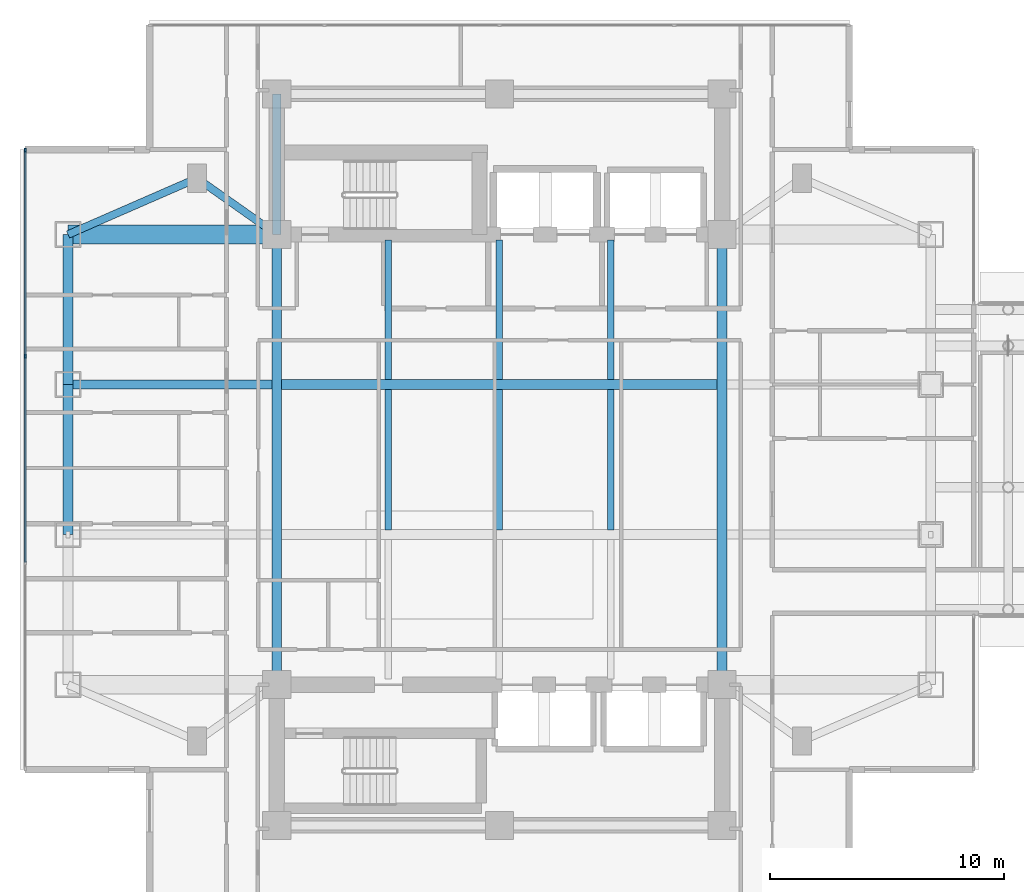
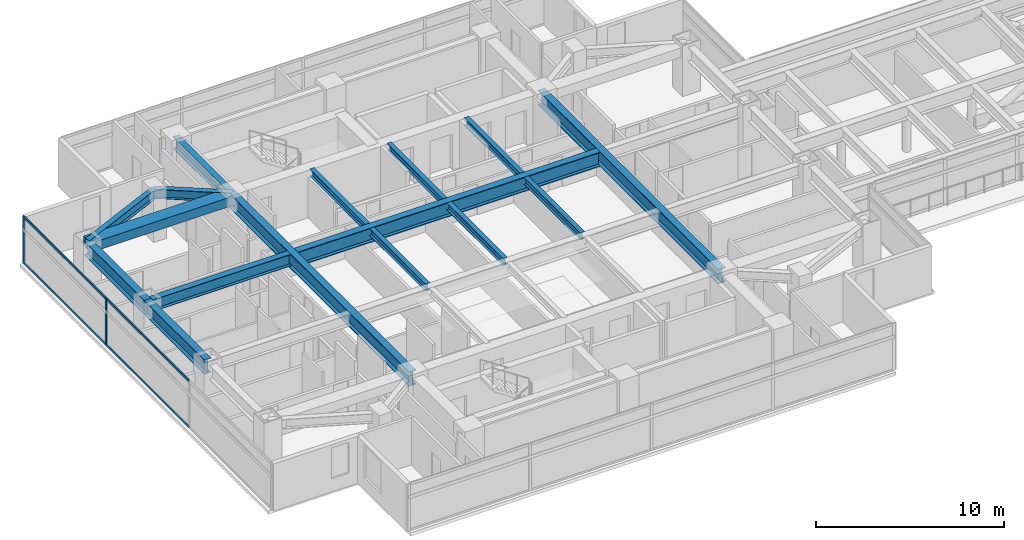
# One storey, part 3 of 29: 16 beams, 6 members, 1 element without a shape of its own.
"""IFC4 building model written with IfcOpenShell, lengths in metres."""

from ifc_helpers import new_model, si_unit, direction, frame, origin, origin_2d, place, context, subcontext, project, spatial, rectangle, i_section, extrude, material, material_profile, profile_set, type_object, element, aggregate, save


model = new_model("IFC4")

# Units and contexts
model_context = context("Model", 3, precision=1e-05, world=origin(), true_north=direction((0.0, 1.0)))
body_context = subcontext(model_context, "Body", "Model", "MODEL_VIEW")
ifc_project = project(units=[si_unit("LENGTHUNIT", "METRE"), si_unit("AREAUNIT", "SQUARE_METRE"), si_unit("VOLUMEUNIT", "CUBIC_METRE"), si_unit("PLANEANGLEUNIT", "RADIAN"), si_unit("MASSUNIT", "GRAM", prefix="KILO")], contexts=[model_context])

# Site, building, storey
site_placement = place(None, origin())
site = spatial("IfcSite", under=ifc_project, at=site_placement, CompositionType="ELEMENT")
building_placement = place(site_placement, origin())
building = spatial("IfcBuilding", under=site, at=building_placement, Name="Mirazonda Arch Towers", CompositionType="ELEMENT")
storey_placement = place(building_placement, frame((0.0, 0.0, 88.39990234375)))
storey = spatial("IfcBuildingStorey", under=building, at=storey_placement, Name="L24", CompositionType="ELEMENT", Elevation=88.39990234375)

# Beams
ifc_material_1 = material(Name="Steel ASTM A992 Grade 50", Category="steel")
ifc_material_profile_1 = material_profile(ifc_material_1, i_section(OverallWidth=0.41796875, OverallDepth=0.927001953125, WebThickness=0.019287109375, FlangeThickness=0.031982421875, at=origin_2d()), Name="W36X231")
ifc_profile_set_1 = profile_set([ifc_material_profile_1], Name="Steel ASTM A992 Grade 50")
beam_type_1 = type_object("IfcBeamType", Name="BM-EXT-W36X231", PredefinedType="USERDEFINED", material=ifc_profile_set_1)
beam_1_placement = place(storey_placement, frame((2.10009765625, 24.800048828125, 2.61669921875), z_axis=(0.0, 1.0, 0.0), x_axis=(-1.0, 0.0, 0.0)))
element("IfcBeam", 1, at=beam_1_placement, inside=storey, type_object=beam_type_1, Name="L24 Floor Beam BM-T1-L24-NS-W-24", ObjectType="GIRDER", PredefinedType="USERDEFINED", context=body_context, shape_type="SweptSolid", body=[
    extrude(i_section(OverallWidth=0.41796875, OverallDepth=0.927001953125, WebThickness=0.019287109375, FlangeThickness=0.031982421875, at=origin_2d()), origin(), (0.0, 0.0, 1.0), 6.39990234375),
])
beam_2_placement = place(storey_placement, frame((2.10009765625, 31.199951171875, 2.61669921875), z_axis=(0.0, 1.0, 0.0), x_axis=(-1.0, 0.0, 0.0)))
element("IfcBeam", 2, at=beam_2_placement, inside=storey, type_object=beam_type_1, Name="L24 Floor Beam BM-T1-L24-NS-W-31", ObjectType="GIRDER", PredefinedType="USERDEFINED", context=body_context, shape_type="SweptSolid", body=[
    extrude(i_section(OverallWidth=0.41796875, OverallDepth=0.927001953125, WebThickness=0.019287109375, FlangeThickness=0.031982421875, at=origin_2d()), origin(), (0.0, 0.0, 1.0), 6.400146484375),
])
ifc_material_profile_2 = material_profile(ifc_material_1, i_section(OverallWidth=0.280029296875, OverallDepth=0.462890625, WebThickness=0.0107421875, FlangeThickness=0.017333984375, at=origin_2d()), Name="W18X76")
ifc_profile_set_2 = profile_set([ifc_material_profile_2], Name="Steel ASTM A992 Grade 50")
beam_type_2 = type_object("IfcBeamType", Name="BM-INT-W18X76", PredefinedType="JOIST", material=ifc_profile_set_2)
beam_3_placement = place(storey_placement, frame((15.75, 31.407470703125, 2.8486328125), z_axis=(0.0, 1.0, 0.0), x_axis=(-1.0, 0.0, 0.0)))
element("IfcBeam", 3, at=beam_3_placement, inside=storey, type_object=beam_type_2, Name="L24 Floor Beam BM-T1-L24-J-157-31", PredefinedType="JOIST", context=body_context, shape_type="SweptSolid", body=[
    extrude(i_section(OverallWidth=0.280029296875, OverallDepth=0.462890625, WebThickness=0.0107421875, FlangeThickness=0.017333984375, at=origin_2d()), origin(), (0.0, 0.0, 1.0), 5.95263671875),
])
beam_4_placement = place(storey_placement, frame((15.75, 25.007568359375, 2.8486328125), z_axis=(0.0, 1.0, 0.0), x_axis=(-1.0, 0.0, 0.0)))
element("IfcBeam", 4, at=beam_4_placement, inside=storey, type_object=beam_type_2, Name="L24 Floor Beam BM-T1-L24-J-157-24", PredefinedType="JOIST", context=body_context, shape_type="SweptSolid", body=[
    extrude(i_section(OverallWidth=0.280029296875, OverallDepth=0.462890625, WebThickness=0.0107421875, FlangeThickness=0.017333984375, at=origin_2d()), origin(), (0.0, 0.0, 1.0), 5.98486328125),
])
beam_5_placement = place(storey_placement, frame((20.5, 31.407470703125, 2.8486328125), z_axis=(0.0, 1.0, 0.0), x_axis=(-1.0, 0.0, 0.0)))
element("IfcBeam", 5, at=beam_5_placement, inside=storey, type_object=beam_type_2, Name="L24 Floor Beam BM-T1-L24-J-205-31", PredefinedType="JOIST", context=body_context, shape_type="SweptSolid", body=[
    extrude(i_section(OverallWidth=0.280029296875, OverallDepth=0.462890625, WebThickness=0.0107421875, FlangeThickness=0.017333984375, at=origin_2d()), origin(), (0.0, 0.0, 1.0), 5.95263671875),
])
beam_6_placement = place(storey_placement, frame((20.5, 25.007568359375, 2.8486328125), z_axis=(0.0, 1.0, 0.0), x_axis=(-1.0, 0.0, 0.0)))
element("IfcBeam", 6, at=beam_6_placement, inside=storey, type_object=beam_type_2, Name="L24 Floor Beam BM-T1-L24-J-205-24", PredefinedType="JOIST", context=body_context, shape_type="SweptSolid", body=[
    extrude(i_section(OverallWidth=0.280029296875, OverallDepth=0.462890625, WebThickness=0.0107421875, FlangeThickness=0.017333984375, at=origin_2d()), origin(), (0.0, 0.0, 1.0), 5.98486328125),
])
beam_7_placement = place(storey_placement, frame((25.25, 31.407470703125, 2.8486328125), z_axis=(0.0, 1.0, 0.0), x_axis=(-1.0, 0.0, 0.0)))
element("IfcBeam", 7, at=beam_7_placement, inside=storey, type_object=beam_type_2, Name="L24 Floor Beam BM-T1-L24-J-252-31", PredefinedType="JOIST", context=body_context, shape_type="SweptSolid", body=[
    extrude(i_section(OverallWidth=0.280029296875, OverallDepth=0.462890625, WebThickness=0.0107421875, FlangeThickness=0.017333984375, at=origin_2d()), origin(), (0.0, 0.0, 1.0), 5.95263671875),
])
beam_8_placement = place(storey_placement, frame((25.25, 25.007568359375, 2.8486328125), z_axis=(0.0, 1.0, 0.0), x_axis=(-1.0, 0.0, 0.0)))
element("IfcBeam", 8, at=beam_8_placement, inside=storey, type_object=beam_type_2, Name="L24 Floor Beam BM-T1-L24-J-252-24", PredefinedType="JOIST", context=body_context, shape_type="SweptSolid", body=[
    extrude(i_section(OverallWidth=0.280029296875, OverallDepth=0.462890625, WebThickness=0.0107421875, FlangeThickness=0.017333984375, at=origin_2d()), origin(), (0.0, 0.0, 1.0), 5.98486328125),
])
ifc_material_profile_3 = material_profile(ifc_material_1, i_section(OverallWidth=0.324951171875, OverallDepth=0.615966796875, WebThickness=0.013916015625, FlangeThickness=0.021484375, at=origin_2d()), Name="W24X117")
ifc_profile_set_3 = profile_set([ifc_material_profile_3], Name="Steel ASTM A992 Grade 50")
beam_type_3 = type_object("IfcBeamType", Name="BM-INT-W24X117", PredefinedType="BEAM", material=ifc_profile_set_3)
beam_9_placement = place(storey_placement, frame((7.60009765625, 40.0, 2.772216796875), z_axis=(0.816971114901, -0.576678591087, 0.0), x_axis=(0.576678591087, 0.816971114901, 0.0)))
element("IfcBeam", 9, at=beam_9_placement, inside=storey, type_object=beam_type_3, Name="L24 Floor Beam BM-T1-L24-PL-NW1", PredefinedType="BEAM", context=body_context, shape_type="SweptSolid", body=[
    extrude(i_section(OverallWidth=0.324951171875, OverallDepth=0.615966796875, WebThickness=0.013916015625, FlangeThickness=0.021484375, at=origin_2d()), origin(), (0.0, 0.0, 1.0), 4.16162109375),
])
beam_10_placement = place(storey_placement, frame((7.60009765625, 40.0, 2.772216796875), z_axis=(-0.916545343703, -0.399930785183, 0.0), x_axis=(0.399930785183, -0.916545343703, 0.0)))
element("IfcBeam", 10, at=beam_10_placement, inside=storey, type_object=beam_type_3, Name="L24 Floor Beam BM-T1-L24-PL-NW2", PredefinedType="BEAM", context=body_context, shape_type="SweptSolid", body=[
    extrude(i_section(OverallWidth=0.324951171875, OverallDepth=0.615966796875, WebThickness=0.013916015625, FlangeThickness=0.021484375, at=origin_2d()), origin(), (0.0, 0.0, 1.0), 6.000732421875),
])
ifc_material_profile_4 = material_profile(ifc_material_1, i_section(OverallWidth=0.381103515625, OverallDepth=0.77294921875, WebThickness=0.0166015625, FlangeThickness=0.027099609375, at=origin_2d()), Name="W30X173")
ifc_profile_set_4 = profile_set([ifc_material_profile_4], Name="Steel ASTM A992 Grade 50")
beam_type_4 = type_object("IfcBeamType", Name="BM-INT-W30X173", PredefinedType="USERDEFINED", material=ifc_profile_set_4)
beam_11_placement = place(storey_placement, frame((2.10009765625, 31.199951171875, 2.693603515625), z_axis=(1.0, 0.0, 0.0), x_axis=(0.0, 1.0, 0.0)))
element("IfcBeam", 11, at=beam_11_placement, inside=storey, type_object=beam_type_4, Name="L24 Floor Beam BM-T1-L24-GW3", ObjectType="GIRDER", PredefinedType="USERDEFINED", context=body_context, shape_type="SweptSolid", body=[
    extrude(i_section(OverallWidth=0.381103515625, OverallDepth=0.77294921875, WebThickness=0.0166015625, FlangeThickness=0.027099609375, at=origin_2d()), origin(), (0.0, 0.0, 1.0), 8.6884765625),
])
beam_12_placement = place(storey_placement, frame((11.0, 37.60009765625, 2.693603515625), z_axis=(0.0, 1.0, 0.0), x_axis=(-1.0, 0.0, 0.0)))
element("IfcBeam", 12, at=beam_12_placement, inside=storey, type_object=beam_type_4, Name="L24 Floor Beam BM-T1-L24-CNW", ObjectType="GIRDER", PredefinedType="USERDEFINED", context=body_context, shape_type="SweptSolid", body=[
    extrude(i_section(OverallWidth=0.381103515625, OverallDepth=0.77294921875, WebThickness=0.0166015625, FlangeThickness=0.027099609375, at=origin_2d()), origin(), (0.0, 0.0, 1.0), 6.0),
])
ifc_material_profile_5 = material_profile(ifc_material_1, i_section(OverallWidth=0.423095703125, OverallDepth=0.947998046875, WebThickness=0.02392578125, FlangeThickness=0.042724609375, at=origin_2d()), Name="W36X302")
ifc_profile_set_5 = profile_set([ifc_material_profile_5], Name="Steel ASTM A992 Grade 50")
beam_type_5 = type_object("IfcBeamType", Name="BM-INT-W36X302", PredefinedType="USERDEFINED", material=ifc_profile_set_5)
beam_13_placement = place(storey_placement, frame((11.21142578125, 31.199951171875, 2.606201171875), z_axis=(1.0, 0.0, 0.0), x_axis=(0.0, 1.0, 0.0)))
element("IfcBeam", 13, at=beam_13_placement, inside=storey, type_object=beam_type_5, Name="L24 Floor Beam BM-T1-L24-GC3", ObjectType="GIRDER", PredefinedType="USERDEFINED", context=body_context, shape_type="SweptSolid", body=[
    extrude(i_section(OverallWidth=0.423095703125, OverallDepth=0.947998046875, WebThickness=0.02392578125, FlangeThickness=0.042724609375, at=origin_2d()), origin(), (0.0, 0.0, 1.0), 18.5771484375),
])
for number, where, z_axis, x_axis, name in (
    (14, (11.0, 18.39990234375, 2.606201171875), (0.0, 1.0, 0.0), (-1.0, 0.0, 0.0), "L24 Floor Beam BM-T1-L24-NS-CW-FULL"),
    (15, (30.0, 18.39990234375, 2.606201171875), (0.0, 1.0, 0.0), (-1.0, 0.0, 0.0), "L24 Floor Beam BM-T1-L24-NS-CE-FULL"),
):
    element("IfcBeam", number, at=place(storey_placement, frame(where, z_axis=z_axis, x_axis=x_axis)), inside=storey, type_object=beam_type_5, Name=name, ObjectType="GIRDER", PredefinedType="USERDEFINED", context=body_context, shape_type="SweptSolid", body=[
        extrude(i_section(OverallWidth=0.423095703125, OverallDepth=0.947998046875, WebThickness=0.02392578125, FlangeThickness=0.042724609375, at=origin_2d()), origin(), (0.0, 0.0, 1.0), 19.2001953125),
    ])
ifc_material_2 = material(Name="Concrete C60/75", Category="concrete")
ifc_material_profile_6 = material_profile(ifc_material_2, rectangle(XDim=0.800048828125, YDim=0.60009765625, at=origin_2d()), Name="RCCB800x600")
ifc_profile_set_6 = profile_set([ifc_material_profile_6], Name="Concrete C60/75")
beam_type_6 = type_object("IfcBeamType", Name="CB-INT-RCCB800x600", PredefinedType="SPANDREL", material=ifc_profile_set_6)
beam_14_placement = place(storey_placement, frame((2.10009765625, 37.60009765625, 2.780029296875), z_axis=(1.0, 0.0, 0.0), x_axis=(0.0, 1.0, 0.0)))
element("IfcBeam", 16, at=beam_14_placement, inside=storey, type_object=beam_type_6, Name="L24 Floor Beam CBC-T1-L24-NW", PredefinedType="SPANDREL", context=body_context, shape_type="SweptSolid", body=[
    extrude(rectangle(XDim=0.800048828125, YDim=0.60009765625, at=origin_2d()), origin(), (0.0, 0.0, 1.0), 8.89990234375),
])

# Curtain wall, members
ifc_material_3 = material(Name="Anodised Aluminium and Low-E Glass", Category="aluminium")
curtain_wall_type = type_object("IfcCurtainWallType", Name="CW-HTL-UNIT", PredefinedType="NOTDEFINED", material=ifc_material_3)
curtain_wall_placement = place(storey_placement, origin())
curtain_wall = element("IfcCurtainWall", 17, at=curtain_wall_placement, inside=storey, type_object=curtain_wall_type, Name="L24 T1 W Facade CW-L24-T1-W", PredefinedType="NOTDEFINED")
ifc_material_4 = material(Name="Anodised Aluminium Alloy", Category="aluminium")
ifc_material_profile_7 = material_profile(ifc_material_4, rectangle(XDim=0.074951171875, YDim=0.1650390625, at=origin_2d()), Name="ALU-MULL-75x165")
ifc_profile_set_7 = profile_set([ifc_material_profile_7], Name="Anodised Aluminium Alloy")
member_type_1 = type_object("IfcMemberType", Name="MULL-CW-HTL-UNIT", PredefinedType="MULLION", material=ifc_profile_set_7)
member_1_placement = place(storey_placement, frame((0.27001953125, 41.1875, 0.0), z_axis=(0.0, 0.0, 1.0), x_axis=(1.0, 0.0, 0.0)))
member_1 = element("IfcMember", 18, at=member_1_placement, type_object=member_type_1, Name="CW-112 mullion 1", PredefinedType="MULLION", context=body_context, shape_type="SweptSolid", body=[
    extrude(rectangle(XDim=0.074951171875, YDim=0.1650390625, at=origin_2d()), origin(), (0.0, 0.0, 1.0), 3.06005859375),
])
member_2_placement = place(storey_placement, frame((0.27001953125, 32.408447265625, 0.0), z_axis=(0.0, 0.0, 1.0), x_axis=(1.0, 0.0, 0.0)))
member_2 = element("IfcMember", 19, at=member_2_placement, type_object=member_type_1, Name="CW-112 mullion 2", PredefinedType="MULLION", context=body_context, shape_type="SweptSolid", body=[
    extrude(rectangle(XDim=0.074951171875, YDim=0.1650390625, at=origin_2d()), origin(), (0.0, 0.0, 1.0), 3.06005859375),
])
ifc_material_profile_8 = material_profile(ifc_material_4, rectangle(XDim=0.074951171875, YDim=0.14501953125, at=origin_2d()), Name="ALU-TRAN-75x145")
ifc_profile_set_8 = profile_set([ifc_material_profile_8], Name="Anodised Aluminium Alloy")
member_type_2 = type_object("IfcMemberType", Name="TRAN-CW-HTL-UNIT", PredefinedType="USERDEFINED", material=ifc_profile_set_8)
member_3_placement = place(storey_placement, frame((0.27001953125, 41.14990234375, 0.03759765625), z_axis=(0.0, -1.0, 0.0), x_axis=(1.0, 0.0, 0.0)))
member_3 = element("IfcMember", 20, at=member_3_placement, type_object=member_type_2, Name="CW-112 transom 1.1", ObjectType="TRANSOM", PredefinedType="USERDEFINED", context=body_context, shape_type="SweptSolid", body=[
    extrude(rectangle(XDim=0.074951171875, YDim=0.14501953125, at=origin_2d()), origin(), (0.0, 0.0, 1.0), 8.7041015625),
])
member_4_placement = place(storey_placement, frame((0.27001953125, 41.14990234375, 3.022705078125), z_axis=(0.0, -1.0, 0.0), x_axis=(1.0, 0.0, 0.0)))
member_4 = element("IfcMember", 21, at=member_4_placement, type_object=member_type_2, Name="CW-112 transom 1.2", ObjectType="TRANSOM", PredefinedType="USERDEFINED", context=body_context, shape_type="SweptSolid", body=[
    extrude(rectangle(XDim=0.074951171875, YDim=0.14501953125, at=origin_2d()), origin(), (0.0, 0.0, 1.0), 8.7041015625),
])
member_5_placement = place(storey_placement, frame((0.27001953125, 32.370849609375, 0.03759765625), z_axis=(0.0, -1.0, 0.0), x_axis=(1.0, 0.0, 0.0)))
member_5 = element("IfcMember", 22, at=member_5_placement, type_object=member_type_2, Name="CW-112 transom 2.1", ObjectType="TRANSOM", PredefinedType="USERDEFINED", context=body_context, shape_type="SweptSolid", body=[
    extrude(rectangle(XDim=0.074951171875, YDim=0.14501953125, at=origin_2d()), origin(), (0.0, 0.0, 1.0), 8.74169921875),
])
member_6_placement = place(storey_placement, frame((0.27001953125, 32.370849609375, 3.022705078125), z_axis=(0.0, -1.0, 0.0), x_axis=(1.0, 0.0, 0.0)))
member_6 = element("IfcMember", 23, at=member_6_placement, type_object=member_type_2, Name="CW-112 transom 2.2", ObjectType="TRANSOM", PredefinedType="USERDEFINED", context=body_context, shape_type="SweptSolid", body=[
    extrude(rectangle(XDim=0.074951171875, YDim=0.14501953125, at=origin_2d()), origin(), (0.0, 0.0, 1.0), 8.74169921875),
])
aggregate(curtain_wall, [member_1, member_2, member_3, member_4, member_5, member_6])

save(model, "model.ifc")
